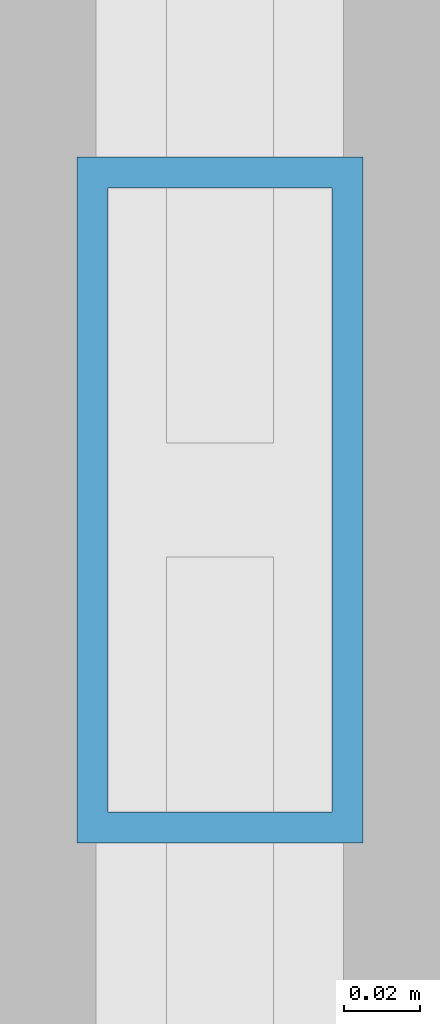
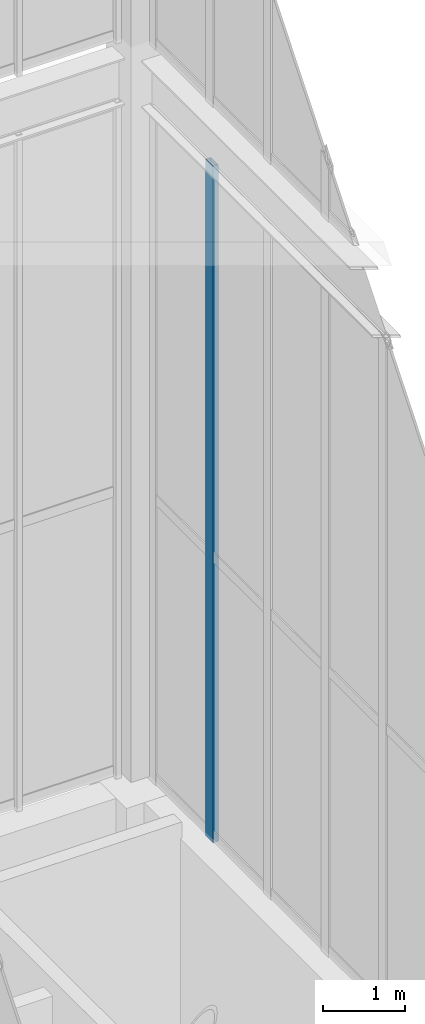
# One storey, part 115 of 135: 1 member, 1 element without a shape of its own.
"""IFC4 building model written with IfcOpenShell, lengths in metres."""

import ifcopenshell
import ifcopenshell.guid

model = None  # the IFC model being written
_history = None  # IfcOwnerHistory: only IFC2X3 demands one
_inside = {}  # id of a spatial element -> (the spatial element, [elements in it])
_under = {}  # id of a project, library or spatial element -> (it, [spatial elements below it])
_declared = {}  # id of a project -> (the project, [libraries it declares])
_typed = {}  # id of a type object -> (the type object, [elements of that type])
_made_of = {}  # id of a material, layer set ... -> (it, [elements and type objects made of it])


def new_model(schema):
    """Start an empty IFC model of exactly this schema.

    Asked for "IFC4X3", IfcOpenShell would pick the latest addendum, in which some entities
    have other attributes; the version numbers below select the first issue.
    IFC2X3 requires an IfcOwnerHistory on every rooted entity: one is made here for all.
    """
    global model, _history
    if schema == "IFC4X3":
        model = ifcopenshell.file(schema_version=(4, 3, 0, 0))
    else:
        model = ifcopenshell.file(schema=schema)
    _inside.clear()
    _under.clear()
    _declared.clear()
    _typed.clear()
    _made_of.clear()
    _history = None
    if model.schema == "IFC2X3":
        org = make("IfcOrganization", Name="unknown")
        user = make(
            "IfcPersonAndOrganization",
            ThePerson=make("IfcPerson", FamilyName="unknown"),
            TheOrganization=org,
        )
        app = make(
            "IfcApplication",
            ApplicationDeveloper=org,
            Version="unknown",
            ApplicationFullName="unknown",
            ApplicationIdentifier="unknown",
        )
        _history = make(
            "IfcOwnerHistory",
            OwningUser=user,
            OwningApplication=app,
            ChangeAction="ADDED",
            CreationDate=0,
        )
    return model


def make(cls, **values):
    """One entity of the class cls with the attributes given. An attribute that is None is left unset."""
    return model.create_entity(
        cls, **{name: value for name, value in values.items() if value is not None}
    )


def rooted(cls, **values):
    """An entity with a GlobalId (a new one), such as an element, a storey or a relation."""
    return make(cls, GlobalId=ifcopenshell.guid.new(), OwnerHistory=_history, **values)


def si_unit(unit_type, name, prefix=None):
    """IfcSIUnit, for example si_unit("LENGTHUNIT", "METRE", prefix="MILLI")."""
    return make("IfcSIUnit", UnitType=unit_type, Prefix=prefix, Name=name)


def assignment(units):
    """IfcUnitAssignment: the units of a project."""
    return None if units is None else make("IfcUnitAssignment", Units=units)


def point(xyz):
    """IfcCartesianPoint."""
    return None if xyz is None else make("IfcCartesianPoint", Coordinates=xyz)


def direction(xyz):
    """IfcDirection."""
    return None if xyz is None else make("IfcDirection", DirectionRatios=xyz)


def frame(location, z_axis=None, x_axis=None):
    """IfcAxis2Placement3D, a coordinate frame: its origin and axes. An axis left out is left unset."""
    return make(
        "IfcAxis2Placement3D",
        Location=point(location),
        Axis=direction(z_axis),
        RefDirection=direction(x_axis),
    )


def frame_2d(location, x_axis=None):
    """IfcAxis2Placement2D, a coordinate frame in the plane: its origin and x axis."""
    return make(
        "IfcAxis2Placement2D", Location=point(location), RefDirection=direction(x_axis)
    )


def origin():
    """The frame at (0, 0, 0) with its axes left unset."""
    return frame((0.0, 0.0, 0.0))


def origin_2d():
    """The frame at (0, 0) in the plane with its x axis left unset."""
    return frame_2d((0.0, 0.0))


def place(relative_to, where):
    """IfcLocalPlacement: puts the frame where relative to a parent placement (None: the world)."""
    return make(
        "IfcLocalPlacement", PlacementRelTo=relative_to, RelativePlacement=where
    )


def context(
    kind, dimensions, precision=None, world=None, true_north=None, identifier=None
):
    """IfcGeometricRepresentationContext, for example the 3D "Model" context."""
    return make(
        "IfcGeometricRepresentationContext",
        ContextIdentifier=identifier,
        ContextType=kind,
        CoordinateSpaceDimension=dimensions,
        Precision=precision,
        WorldCoordinateSystem=world,
        TrueNorth=true_north,
    )


def subcontext(parent, identifier, kind, view, scale=None):
    """IfcGeometricRepresentationSubContext, for example "Body" below "Model"."""
    return make(
        "IfcGeometricRepresentationSubContext",
        ContextIdentifier=identifier,
        ContextType=kind,
        ParentContext=parent,
        TargetScale=scale,
        TargetView=view,
    )


def project(units=None, contexts=None):
    """IfcProject with its units and contexts."""
    return rooted(
        "IfcProject",
        Name="project",
        RepresentationContexts=contexts,
        UnitsInContext=assignment(units),
    )


def spatial(cls, under=None, at=None, **own):
    """A site, building, storey or space (cls), placed at a placement, below another one or the project."""
    s = rooted(cls, ObjectPlacement=at, **own)
    if under is not None:
        _under.setdefault(under.id(), (under, []))[1].append(s)
    return s


def profile(cls, at=None, kind="AREA", **sizes):
    """A parametric profile (cls). Its sizes go by their IFC names, for example OverallWidth=200.0."""
    return make(cls, ProfileType=kind, Position=at, **sizes)


def hollow_rectangle(**sizes):
    """IfcRectangleHollowProfileDef."""
    return profile("IfcRectangleHollowProfileDef", **sizes)


def extrude(swept, where, along, depth):
    """IfcExtrudedAreaSolid: the profile swept, set in the frame where, extruded along a direction by depth."""
    return make(
        "IfcExtrudedAreaSolid",
        SweptArea=swept,
        Position=where,
        ExtrudedDirection=direction(along),
        Depth=depth,
    )


def shape(context_of_items, identifier, shape_type, items):
    """IfcShapeRepresentation: the items that make up one representation, for example the "Body"."""
    return make(
        "IfcShapeRepresentation",
        ContextOfItems=context_of_items,
        RepresentationIdentifier=identifier,
        RepresentationType=shape_type,
        Items=items,
    )


def source(mapping_origin, context_of_items, identifier, shape_type, items):
    """IfcRepresentationMap: a shape defined once, which mapped items show again and again."""
    return make(
        "IfcRepresentationMap",
        MappingOrigin=mapping_origin,
        MappedRepresentation=shape(context_of_items, identifier, shape_type, items),
    )


def transform(
    local_origin,
    x_axis=None,
    y_axis=None,
    z_axis=None,
    scale=None,
    scale2=None,
    scale3=None,
    uniform=True,
):
    """IfcCartesianTransformationOperator3D, or its non-uniform kind. x_axis, y_axis, z_axis: its Axis1, 2, 3."""
    if uniform:
        return make(
            "IfcCartesianTransformationOperator3D",
            Axis1=direction(x_axis),
            Axis2=direction(y_axis),
            LocalOrigin=point(local_origin),
            Scale=scale,
            Axis3=direction(z_axis),
        )
    return make(
        "IfcCartesianTransformationOperator3DnonUniform",
        Axis1=direction(x_axis),
        Axis2=direction(y_axis),
        LocalOrigin=point(local_origin),
        Scale=scale,
        Axis3=direction(z_axis),
        Scale2=scale2,
        Scale3=scale3,
    )


def mapped(mapping_source, mapping_target):
    """IfcMappedItem: shows the shape of a source again, moved by a transform."""
    return make(
        "IfcMappedItem", MappingSource=mapping_source, MappingTarget=mapping_target
    )


def material(Name=None, Category=None):
    """IfcMaterial."""
    return make("IfcMaterial", Name=Name, Category=Category)


def layer(
    of_material, thickness, ventilated=None, Name=None, Category=None, Priority=None
):
    """IfcMaterialLayer: one layer of a wall or slab, of a material (None: an air gap)."""
    return make(
        "IfcMaterialLayer",
        Material=of_material,
        LayerThickness=thickness,
        IsVentilated=ventilated,
        Name=Name,
        Category=Category,
        Priority=Priority,
    )


def layer_set(layers, Name=None):
    """IfcMaterialLayerSet."""
    return make("IfcMaterialLayerSet", MaterialLayers=layers, LayerSetName=Name)


def material_profile(
    of_material, cross_section, Name=None, Category=None, Priority=None
):
    """IfcMaterialProfile: a cross section and its material."""
    return make(
        "IfcMaterialProfile",
        Name=Name,
        Material=of_material,
        Profile=cross_section,
        Priority=Priority,
        Category=Category,
    )


def profile_set(profiles, Name=None, composite=None):
    """IfcMaterialProfileSet."""
    return make(
        "IfcMaterialProfileSet",
        Name=Name,
        MaterialProfiles=profiles,
        CompositeProfile=composite,
    )


def made_of(thing, what):
    """Note that an element or type object is made of a material, layer set ...; save() writes the relation."""
    if what is not None:
        _made_of.setdefault(what.id(), (what, []))[1].append(thing)
    return thing


def type_object(cls, material=None, **own):
    """A type object (cls), such as IfcWallType, which elements share."""
    return made_of(rooted(cls, **own), material)


def element(
    cls,
    number,
    at=None,
    inside=None,
    cuts=None,
    type_object=None,
    material=None,
    context=None,
    identifier="Body",
    shape_type=None,
    held_by="IfcProductDefinitionShape",
    body=None,
    shapes=None,
    **own,
):
    """One element of the class cls, such as IfcWall. Its Tag is "e" and its number.

    at: its placement. inside: the storey or other place that contains it. cuts: it is an
    opening in that element (IfcRelVoidsElement). A single representation is given by context,
    identifier, shape_type and body (its items); several are given by shapes. held_by: the class
    of the entity that holds the representations. save() writes the other relations.
    """
    e = rooted(cls, Tag="e%d" % number, ObjectPlacement=at, **own)
    if body is not None:
        shapes = [shape(context, identifier, shape_type, body)]
    if shapes is not None:
        e.Representation = make(held_by, Representations=shapes)
    if inside is not None:
        _inside.setdefault(inside.id(), (inside, []))[1].append(e)
    if cuts is not None:
        rooted(
            "IfcRelVoidsElement", RelatingBuildingElement=cuts, RelatedOpeningElement=e
        )
    if type_object is not None:
        _typed.setdefault(type_object.id(), (type_object, []))[1].append(e)
    return made_of(e, material)


def aggregate(whole, parts):
    """IfcRelAggregates: a whole, such as a stair, and the parts it consists of."""
    return rooted("IfcRelAggregates", RelatingObject=whole, RelatedObjects=parts)


def save(model, path):
    """Write the relations noted so far, then the file.

    IfcRelAggregates (storeys below a building ...), IfcRelContainedInSpatialStructure (elements
    in a storey), IfcRelDefinesByType, IfcRelAssociatesMaterial and IfcRelDeclares: one each for
    every whole, place, type object, material and project.
    """
    for whole, parts in _under.values():
        aggregate(whole, parts)
    for where, things in _inside.values():
        rooted(
            "IfcRelContainedInSpatialStructure",
            RelatedElements=things,
            RelatingStructure=where,
        )
    for kind, things in _typed.values():
        rooted("IfcRelDefinesByType", RelatedObjects=things, RelatingType=kind)
    for what, things in _made_of.values():
        rooted("IfcRelAssociatesMaterial", RelatedObjects=things, RelatingMaterial=what)
    for by, libraries in _declared.values():
        rooted("IfcRelDeclares", RelatingContext=by, RelatedDefinitions=libraries)
    model.write(path)


model = new_model("IFC4")

# Units and contexts
model_context = context("Model", 3, precision=1e-05, world=origin(), true_north=direction((0.0, 1.0)))
body_context = subcontext(model_context, "Body", "Model", "MODEL_VIEW")
ifc_project = project(units=[si_unit("LENGTHUNIT", "METRE"), si_unit("AREAUNIT", "SQUARE_METRE"), si_unit("VOLUMEUNIT", "CUBIC_METRE"), si_unit("PLANEANGLEUNIT", "RADIAN"), si_unit("MASSUNIT", "GRAM", prefix="KILO")], contexts=[model_context])

# Site, building, storey
site_placement = place(None, origin())
site = spatial("IfcSite", under=ifc_project, at=site_placement, CompositionType="ELEMENT")
building_placement = place(site_placement, origin())
building = spatial("IfcBuilding", under=site, at=building_placement, Name="Giltprow Tower", CompositionType="ELEMENT")
storey_placement = place(building_placement, frame((0.0, 0.0, 352.699951171875)))
storey = spatial("IfcBuildingStorey", under=building, at=storey_placement, Name="L92", CompositionType="ELEMENT", Elevation=352.699951171875)

# Curtain wall, member
ifc_material = material(Name="Anodized bronze", Category="metal")
ifc_layer = layer(ifc_material, 0.179931640625, Name="Anodized bronze")
ifc_layer_set = layer_set([ifc_layer], Name="Anodized bronze")
curtain_wall_type = type_object("IfcCurtainWallType", Name="CW-CROWN-LANTERN", PredefinedType="NOTDEFINED", material=ifc_layer_set)
curtain_wall_placement = place(storey_placement, origin())
curtain_wall = element("IfcCurtainWall", 1, at=curtain_wall_placement, inside=storey, type_object=curtain_wall_type, Name="Crown East Lower Lantern Glazing 3", PredefinedType="NOTDEFINED")
ifc_material_profile = material_profile(ifc_material, hollow_rectangle(XDim=0.074951171875, YDim=0.179931640625, WallThickness=0.008056640625, at=origin_2d()), Name="RHS 180x75x8")
ifc_profile_set = profile_set([ifc_material_profile], Name="Anodized bronze")
member_type = type_object("IfcMemberType", Name="CW-MULLION-180x75", PredefinedType="MULLION", material=ifc_profile_set)
shared_shape = source(origin(), body_context, "Body", "SweptSolid", [
    extrude(hollow_rectangle(XDim=0.074951171875, YDim=0.179931640625, WallThickness=0.008056640625, at=origin_2d()), origin(), (0.0, 0.0, 1.0), 10.030029296875),
])
member_placement = place(storey_placement, frame((50.550048828125, 44.800048828125, 6.35009765625), z_axis=(0.0, 0.0, 1.0), x_axis=(1.0, 0.0, 0.0)))
member = element("IfcMember", 2, at=member_placement, type_object=member_type, Name="Crown East Lower Lantern Glazing 3 Mullion 6", PredefinedType="MULLION", context=body_context, shape_type="MappedRepresentation", body=[
    mapped(shared_shape, transform((0.0, 0.0, 0.0), x_axis=(1.0, 0.0, 0.0), y_axis=(0.0, 1.0, 0.0), z_axis=(0.0, 0.0, 1.0), scale=1.0)),
])
aggregate(curtain_wall, [member])

save(model, "model.ifc")
